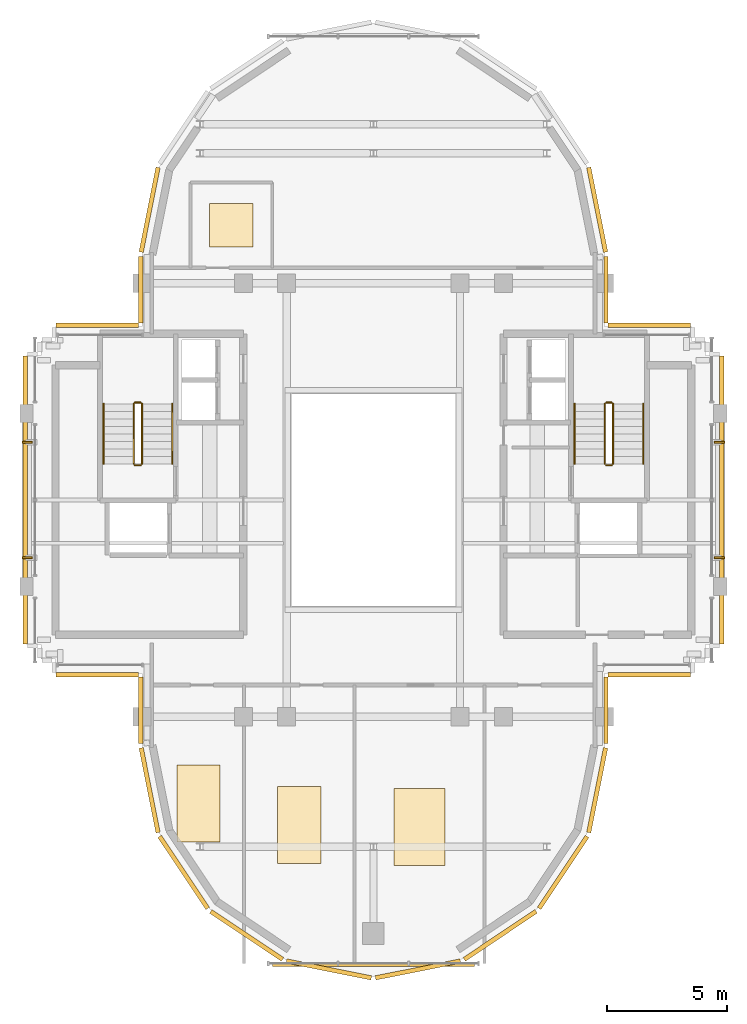
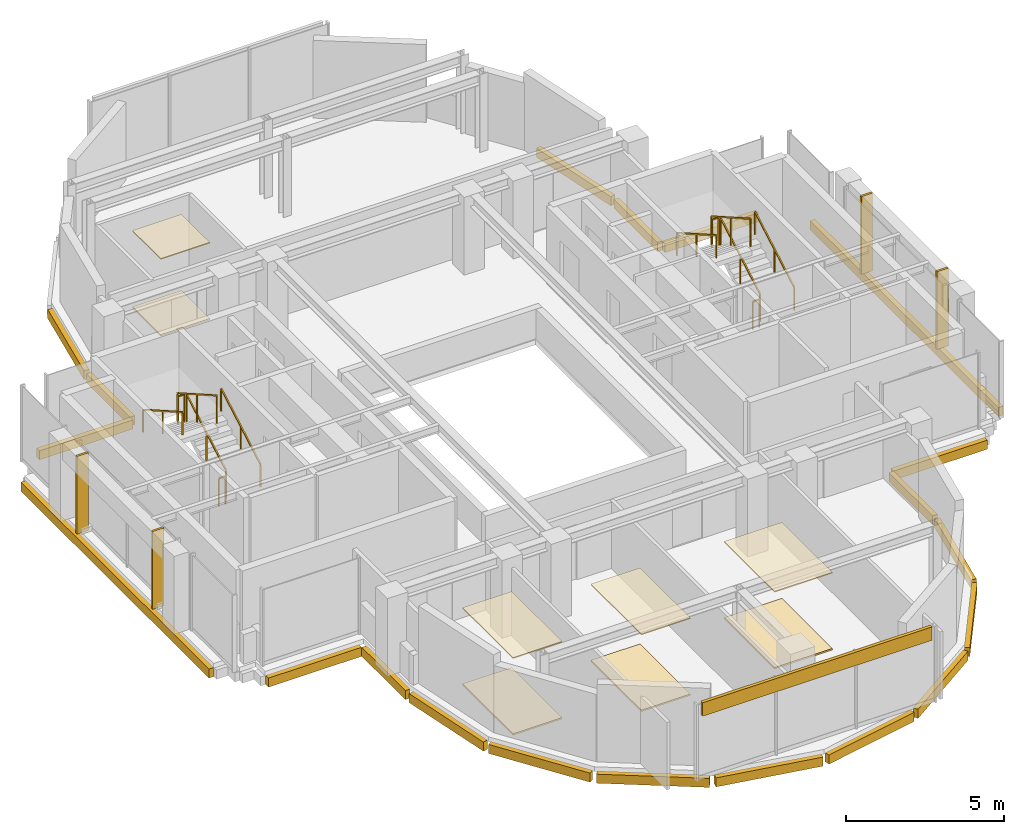
# One storey, part 10 of 11: 29 coverings, 12 railings, 4 shading devices.
"""IFC4 building model written with IfcOpenShell, lengths in metres."""

from ifc_helpers import new_model, si_unit, direction, frame, origin, origin_2d, place, context, subcontext, project, spatial, rectangle, extrude, source, transform, mapped, material, layer, layer_set, type_object, element, save


model = new_model("IFC4")

# Units and contexts
model_context = context("Model", 3, precision=1e-05, world=origin(), true_north=direction((0.0, 1.0)))
body_context = subcontext(model_context, "Body", "Model", "MODEL_VIEW")
ifc_project = project(units=[si_unit("LENGTHUNIT", "METRE"), si_unit("AREAUNIT", "SQUARE_METRE"), si_unit("VOLUMEUNIT", "CUBIC_METRE"), si_unit("PLANEANGLEUNIT", "RADIAN"), si_unit("MASSUNIT", "GRAM", prefix="KILO")], contexts=[model_context])

# Site, building, storey
site_placement = place(None, origin())
site = spatial("IfcSite", under=ifc_project, at=site_placement, CompositionType="ELEMENT")
building_placement = place(site_placement, origin())
building = spatial("IfcBuilding", under=site, at=building_placement, Name="Keilestroom Media Tower", CompositionType="ELEMENT")
storey_placement = place(building_placement, frame((0.0, 0.0, 265.199951171875)))
storey = spatial("IfcBuildingStorey", under=building, at=storey_placement, Name="L74", CompositionType="ELEMENT", Elevation=265.199951171875)

# Railings
ifc_material_1 = material(Name="Brushed Stainless Steel 1.4301", Category="steel")
railing_type_1 = type_object("IfcRailingType", Name="Stair-Pitch-Handrail-920", PredefinedType="HANDRAIL", material=ifc_material_1)
railing_1_placement = place(storey_placement, frame((-8.35009765625, 1.5, 0.177734375)))
element("IfcRailing", 1, at=railing_1_placement, inside=storey, type_object=railing_type_1, Name="L74 ST-1 stair handrail 1", PredefinedType="HANDRAIL", context=body_context, shape_type="SweptSolid", body=[
    extrude(rectangle(XDim=0.048095703125, YDim=0.048095703125, at=origin_2d()), frame((0.0, 0.0, 0.8759765625), z_axis=(0.0, 0.868838684858, 0.495095283449), x_axis=(-1.0, 0.0, 0.0)), (0.0, 0.0, 1.0), 2.872802734375),
    extrude(rectangle(XDim=0.0419921875, YDim=0.0419921875, at=origin_2d()), origin(), (0.0, 0.0, 1.0), 0.84375),
    extrude(rectangle(XDim=0.0419921875, YDim=0.0419921875, at=origin_2d()), frame((0.0, 1.248046875, 0.711181640625)), (0.0, 0.0, 1.0), 0.84375),
    extrude(rectangle(XDim=0.0419921875, YDim=0.0419921875, at=origin_2d()), frame((0.0, 2.49609375, 1.42236328125)), (0.0, 0.0, 1.0), 0.84375),
])
railing_2_placement = place(storey_placement, frame((-11.2099609375, 3.99609375, 1.77783203125)))
element("IfcRailing", 2, at=railing_2_placement, inside=storey, type_object=railing_type_1, Name="L74 ST-1 stair handrail 2", PredefinedType="HANDRAIL", context=body_context, shape_type="SweptSolid", body=[
    extrude(rectangle(XDim=0.048095703125, YDim=0.048095703125, at=origin_2d()), frame((0.0, 0.0, 0.8759765625), z_axis=(0.0, -0.868875238982, 0.495031129408), x_axis=(1.0, 0.0, 0.0)), (0.0, 0.0, 1.0), 2.872802734375),
    extrude(rectangle(XDim=0.0419921875, YDim=0.0419921875, at=origin_2d()), origin(), (0.0, 0.0, 1.0), 0.84375),
    extrude(rectangle(XDim=0.0419921875, YDim=0.0419921875, at=origin_2d()), frame((0.0, -1.248046875, 0.7109375)), (0.0, 0.0, 1.0), 0.84375),
    extrude(rectangle(XDim=0.0419921875, YDim=0.0419921875, at=origin_2d()), frame((0.0, -2.49609375, 1.422119140625)), (0.0, 0.0, 1.0), 0.84375),
])
railing_3_placement = place(storey_placement, frame((11.2099609375, 1.5, 0.177734375)))
element("IfcRailing", 3, at=railing_3_placement, inside=storey, type_object=railing_type_1, Name="L74 ST-2 stair handrail 1", PredefinedType="HANDRAIL", context=body_context, shape_type="SweptSolid", body=[
    extrude(rectangle(XDim=0.048095703125, YDim=0.048095703125, at=origin_2d()), frame((0.0, 0.0, 0.8759765625), z_axis=(0.0, 0.868838684858, 0.495095283449), x_axis=(-1.0, 0.0, 0.0)), (0.0, 0.0, 1.0), 2.872802734375),
    extrude(rectangle(XDim=0.0419921875, YDim=0.0419921875, at=origin_2d()), origin(), (0.0, 0.0, 1.0), 0.84375),
    extrude(rectangle(XDim=0.0419921875, YDim=0.0419921875, at=origin_2d()), frame((0.0, 1.248046875, 0.711181640625)), (0.0, 0.0, 1.0), 0.84375),
    extrude(rectangle(XDim=0.0419921875, YDim=0.0419921875, at=origin_2d()), frame((0.0, 2.49609375, 1.42236328125)), (0.0, 0.0, 1.0), 0.84375),
])
railing_4_placement = place(storey_placement, frame((8.35009765625, 3.99609375, 1.77783203125)))
element("IfcRailing", 4, at=railing_4_placement, inside=storey, type_object=railing_type_1, Name="L74 ST-2 stair handrail 2", PredefinedType="HANDRAIL", context=body_context, shape_type="SweptSolid", body=[
    extrude(rectangle(XDim=0.048095703125, YDim=0.048095703125, at=origin_2d()), frame((0.0, 0.0, 0.8759765625), z_axis=(0.0, -0.868875238982, 0.495031129408), x_axis=(1.0, 0.0, 0.0)), (0.0, 0.0, 1.0), 2.872802734375),
    extrude(rectangle(XDim=0.0419921875, YDim=0.0419921875, at=origin_2d()), origin(), (0.0, 0.0, 1.0), 0.84375),
    extrude(rectangle(XDim=0.0419921875, YDim=0.0419921875, at=origin_2d()), frame((0.0, -1.248046875, 0.7109375)), (0.0, 0.0, 1.0), 0.84375),
    extrude(rectangle(XDim=0.0419921875, YDim=0.0419921875, at=origin_2d()), frame((0.0, -2.49609375, 1.422119140625)), (0.0, 0.0, 1.0), 0.84375),
])
ifc_material_2 = material(Name="Painted Steel Balustrade", Category="steel")
railing_type_2 = type_object("IfcRailingType", Name="Stair-Well-And-Landing-Guard-1100", PredefinedType="GUARDRAIL", material=ifc_material_2)
railing_5_placement = place(storey_placement, frame((-9.610107421875, 1.5, 0.177734375)))
element("IfcRailing", 5, at=railing_5_placement, inside=storey, type_object=railing_type_2, Name="L74 ST-1 stair guard 1", PredefinedType="GUARDRAIL", context=body_context, shape_type="SweptSolid", body=[
    extrude(rectangle(XDim=0.048095703125, YDim=0.048095703125, at=origin_2d()), frame((0.0, 0.0, 1.076171875), z_axis=(0.0, 0.868838684858, 0.495095283449), x_axis=(-1.0, 0.0, 0.0)), (0.0, 0.0, 1.0), 2.872802734375),
    extrude(rectangle(XDim=0.0419921875, YDim=0.0419921875, at=origin_2d()), origin(), (0.0, 0.0, 1.0), 1.0439453125),
    extrude(rectangle(XDim=0.0419921875, YDim=0.0419921875, at=origin_2d()), frame((0.0, 1.248046875, 0.711181640625)), (0.0, 0.0, 1.0), 1.0439453125),
    extrude(rectangle(XDim=0.0419921875, YDim=0.0419921875, at=origin_2d()), frame((0.0, 2.49609375, 1.42236328125)), (0.0, 0.0, 1.0), 1.0439453125),
])
railing_6_placement = place(storey_placement, frame((-9.659912109375, 4.0458984375, 1.60009765625)))
element("IfcRailing", 6, at=railing_6_placement, inside=storey, type_object=railing_type_2, Name="L74 ST-1 stair guard 2", PredefinedType="GUARDRAIL", context=body_context, shape_type="SweptSolid", body=[
    extrude(rectangle(XDim=0.048095703125, YDim=0.048095703125, at=origin_2d()), frame((0.0, 0.0, 1.076171875), z_axis=(-1.0, 0.0, 0.0), x_axis=(0.0, -1.0, 0.0)), (0.0, 0.0, 1.0), 0.239990234375),
    extrude(rectangle(XDim=0.0419921875, YDim=0.0419921875, at=origin_2d()), origin(), (0.0, 0.0, 1.0), 1.0439453125),
    extrude(rectangle(XDim=0.0419921875, YDim=0.0419921875, at=origin_2d()), frame((-0.239990234375, 0.0, 0.0)), (0.0, 0.0, 1.0), 1.0439453125),
])
railing_7_placement = place(storey_placement, frame((-9.949951171875, 3.99609375, 1.77783203125)))
element("IfcRailing", 7, at=railing_7_placement, inside=storey, type_object=railing_type_2, Name="L74 ST-1 stair guard 3", PredefinedType="GUARDRAIL", context=body_context, shape_type="SweptSolid", body=[
    extrude(rectangle(XDim=0.048095703125, YDim=0.048095703125, at=origin_2d()), frame((0.0, 0.0, 1.076171875), z_axis=(0.0, -0.868875238982, 0.495031129408), x_axis=(1.0, 0.0, 0.0)), (0.0, 0.0, 1.0), 2.872802734375),
    extrude(rectangle(XDim=0.0419921875, YDim=0.0419921875, at=origin_2d()), origin(), (0.0, 0.0, 1.0), 1.0439453125),
    extrude(rectangle(XDim=0.0419921875, YDim=0.0419921875, at=origin_2d()), frame((0.0, -1.248046875, 0.7109375)), (0.0, 0.0, 1.0), 1.0439453125),
    extrude(rectangle(XDim=0.0419921875, YDim=0.0419921875, at=origin_2d()), frame((0.0, -2.49609375, 1.422119140625)), (0.0, 0.0, 1.0), 1.0439453125),
])
railing_8_placement = place(storey_placement, frame((-9.659912109375, 1.449951171875, 0.0)))
element("IfcRailing", 8, at=railing_8_placement, inside=storey, type_object=railing_type_2, Name="L74 ST-1 stair guard 4", PredefinedType="GUARDRAIL", context=body_context, shape_type="SweptSolid", body=[
    extrude(rectangle(XDim=0.048095703125, YDim=0.048095703125, at=origin_2d()), frame((0.0, 0.0, 1.076171875), z_axis=(-1.0, 0.0, 0.0), x_axis=(0.0, -1.0, 0.0)), (0.0, 0.0, 1.0), 0.239990234375),
    extrude(rectangle(XDim=0.0419921875, YDim=0.0419921875, at=origin_2d()), origin(), (0.0, 0.0, 1.0), 1.0439453125),
    extrude(rectangle(XDim=0.0419921875, YDim=0.0419921875, at=origin_2d()), frame((-0.239990234375, 0.0, 0.0)), (0.0, 0.0, 1.0), 1.0439453125),
])
railing_9_placement = place(storey_placement, frame((9.949951171875, 1.5, 0.177734375)))
element("IfcRailing", 9, at=railing_9_placement, inside=storey, type_object=railing_type_2, Name="L74 ST-2 stair guard 1", PredefinedType="GUARDRAIL", context=body_context, shape_type="SweptSolid", body=[
    extrude(rectangle(XDim=0.048095703125, YDim=0.048095703125, at=origin_2d()), frame((0.0, 0.0, 1.076171875), z_axis=(0.0, 0.868838684858, 0.495095283449), x_axis=(-1.0, 0.0, 0.0)), (0.0, 0.0, 1.0), 2.872802734375),
    extrude(rectangle(XDim=0.0419921875, YDim=0.0419921875, at=origin_2d()), origin(), (0.0, 0.0, 1.0), 1.0439453125),
    extrude(rectangle(XDim=0.0419921875, YDim=0.0419921875, at=origin_2d()), frame((0.0, 1.248046875, 0.711181640625)), (0.0, 0.0, 1.0), 1.0439453125),
    extrude(rectangle(XDim=0.0419921875, YDim=0.0419921875, at=origin_2d()), frame((0.0, 2.49609375, 1.42236328125)), (0.0, 0.0, 1.0), 1.0439453125),
])
railing_10_placement = place(storey_placement, frame((9.89990234375, 4.0458984375, 1.60009765625)))
element("IfcRailing", 10, at=railing_10_placement, inside=storey, type_object=railing_type_2, Name="L74 ST-2 stair guard 2", PredefinedType="GUARDRAIL", context=body_context, shape_type="SweptSolid", body=[
    extrude(rectangle(XDim=0.048095703125, YDim=0.048095703125, at=origin_2d()), frame((0.0, 0.0, 1.076171875), z_axis=(-1.0, 0.0, 0.0), x_axis=(0.0, -1.0, 0.0)), (0.0, 0.0, 1.0), 0.239990234375),
    extrude(rectangle(XDim=0.0419921875, YDim=0.0419921875, at=origin_2d()), origin(), (0.0, 0.0, 1.0), 1.0439453125),
    extrude(rectangle(XDim=0.0419921875, YDim=0.0419921875, at=origin_2d()), frame((-0.239990234375, 0.0, 0.0)), (0.0, 0.0, 1.0), 1.0439453125),
])
railing_11_placement = place(storey_placement, frame((9.610107421875, 3.99609375, 1.77783203125)))
element("IfcRailing", 11, at=railing_11_placement, inside=storey, type_object=railing_type_2, Name="L74 ST-2 stair guard 3", PredefinedType="GUARDRAIL", context=body_context, shape_type="SweptSolid", body=[
    extrude(rectangle(XDim=0.048095703125, YDim=0.048095703125, at=origin_2d()), frame((0.0, 0.0, 1.076171875), z_axis=(0.0, -0.868875238982, 0.495031129408), x_axis=(1.0, 0.0, 0.0)), (0.0, 0.0, 1.0), 2.872802734375),
    extrude(rectangle(XDim=0.0419921875, YDim=0.0419921875, at=origin_2d()), origin(), (0.0, 0.0, 1.0), 1.0439453125),
    extrude(rectangle(XDim=0.0419921875, YDim=0.0419921875, at=origin_2d()), frame((0.0, -1.248046875, 0.7109375)), (0.0, 0.0, 1.0), 1.0439453125),
    extrude(rectangle(XDim=0.0419921875, YDim=0.0419921875, at=origin_2d()), frame((0.0, -2.49609375, 1.422119140625)), (0.0, 0.0, 1.0), 1.0439453125),
])
railing_12_placement = place(storey_placement, frame((9.89990234375, 1.449951171875, 0.0)))
element("IfcRailing", 12, at=railing_12_placement, inside=storey, type_object=railing_type_2, Name="L74 ST-2 stair guard 4", PredefinedType="GUARDRAIL", context=body_context, shape_type="SweptSolid", body=[
    extrude(rectangle(XDim=0.048095703125, YDim=0.048095703125, at=origin_2d()), frame((0.0, 0.0, 1.076171875), z_axis=(-1.0, 0.0, 0.0), x_axis=(0.0, -1.0, 0.0)), (0.0, 0.0, 1.0), 0.239990234375),
    extrude(rectangle(XDim=0.0419921875, YDim=0.0419921875, at=origin_2d()), origin(), (0.0, 0.0, 1.0), 1.0439453125),
    extrude(rectangle(XDim=0.0419921875, YDim=0.0419921875, at=origin_2d()), frame((-0.239990234375, 0.0, 0.0)), (0.0, 0.0, 1.0), 1.0439453125),
])

# Covering
ifc_material_3 = material(Name="Precast concrete C40/50", Category="concrete")
ifc_layer_1 = layer(ifc_material_3, 0.1201171875)
ifc_layer_set_1 = layer_set([ifc_layer_1], Name="Precast concrete C40/50")
covering_type_1 = type_object("IfcCoveringType", Name="Exterior-Precast-Spandrel-Cladding-Panel-120", PredefinedType="CLADDING", material=ifc_layer_set_1)
shared_shape_1 = source(origin(), body_context, "Body", "SweptSolid", [
    extrude(rectangle(XDim=8.39990234375, YDim=0.1201171875, at=origin_2d()), origin(), (0.0, 0.0, 1.0), 0.52001953125),
])
covering_1_placement = place(storey_placement, frame((0.0, -19.320068359375, 2.5), z_axis=(0.0, 0.0, 1.0), x_axis=(1.0, 0.0, 0.0)))
element("IfcCovering", 13, at=covering_1_placement, inside=storey, type_object=covering_type_1, Name="L74 Precast Spandrel Cladding S", PredefinedType="CLADDING", context=body_context, shape_type="MappedRepresentation", body=[
    mapped(shared_shape_1, transform((0.0, 0.0, 0.0), x_axis=(1.0, 0.0, 0.0), y_axis=(0.0, 1.0, 0.0), z_axis=(0.0, 0.0, 1.0), scale=1.0)),
])

# Shading devices
ifc_material_4 = material(Name="Bronze Anodised Aluminium", Category="aluminium")
shading_device_type = type_object("IfcShadingDeviceType", Name="Facade-Vertical-Sunshade-Fin-SHD-1", PredefinedType="USERDEFINED", material=ifc_material_4)
shared_shape_2 = source(origin(), body_context, "Body", "SweptSolid", [
    extrude(rectangle(XDim=0.419921875, YDim=0.080078125, at=origin_2d()), origin(), (0.0, 0.0, 1.0), 3.010009765625),
])
for number, where, z_axis, x_axis, name in (
    (14, (-14.3701171875, -2.39990234375, 0.0), (0.0, 0.0, 1.0), (0.999966355195, 0.008202955488, 0.0), "L74 Twisting Sunshade Fin SHD-1 109"),
    (15, (-14.3701171875, 2.39990234375, 0.0), (0.0, 0.0, 1.0), (0.999966355195, 0.008202955488, 0.0), "L74 Twisting Sunshade Fin SHD-1 110"),
    (16, (14.3701171875, -2.39990234375, 0.0), (0.0, 0.0, 1.0), (0.999966355195, 0.008202955488, 0.0), "L74 Twisting Sunshade Fin SHD-1 111"),
    (17, (14.3701171875, 2.39990234375, 0.0), (0.0, 0.0, 1.0), (0.999966355195, 0.008202955488, 0.0), "L74 Twisting Sunshade Fin SHD-1 112"),
):
    element("IfcShadingDevice", number, at=place(storey_placement, frame(where, z_axis=z_axis, x_axis=x_axis)), inside=storey, type_object=shading_device_type, Name=name, ObjectType="SUNSHADE", PredefinedType="USERDEFINED", context=body_context, shape_type="MappedRepresentation", body=[
        mapped(shared_shape_2, transform((0.0, 0.0, 0.0), x_axis=(1.0, 0.0, 0.0), y_axis=(0.0, 1.0, 0.0), z_axis=(0.0, 0.0, 1.0), scale=1.0)),
    ])

# Coverings
shared_shape_3 = source(origin(), body_context, "Body", "SweptSolid", [
    extrude(rectangle(XDim=2.765869140625, YDim=0.179931640625, at=origin_2d()), origin(), (0.0, 0.0, 1.0), 0.35009765625),
])
for number, where, z_axis, x_axis, name in (
    (18, (9.659912109375, -8.73291015625, -0.530029296875), (0.0, 0.0, 1.0), (0.0, -1.0, 0.0), "L74 Precast Slab-Edge Fascia Cornice 06"),
    (19, (-9.659912109375, -8.73291015625, -0.530029296875), (0.0, 0.0, 1.0), (0.0, 1.0, 0.0), "L74 Precast Slab-Edge Fascia Cornice 15"),
    (20, (-9.659912109375, 8.73291015625, -0.530029296875), (0.0, 0.0, 1.0), (0.0, 1.0, 0.0), "L74 Precast Slab-Edge Fascia Cornice 27"),
    (21, (9.659912109375, 8.73291015625, -0.530029296875), (0.0, 0.0, 1.0), (0.0, -1.0, 0.0), "L74 Precast Slab-Edge Fascia Cornice 36"),
):
    element("IfcCovering", number, at=place(storey_placement, frame(where, z_axis=z_axis, x_axis=x_axis)), inside=storey, type_object=covering_type_1, Name=name, PredefinedType="CLADDING", context=body_context, shape_type="MappedRepresentation", body=[
        mapped(shared_shape_3, transform((0.0, 0.0, 0.0), x_axis=(1.0, 0.0, 0.0), y_axis=(0.0, 1.0, 0.0), z_axis=(0.0, 0.0, 1.0), scale=1.0)),
    ])
shared_shape_4 = source(origin(), body_context, "Body", "SweptSolid", [
    extrude(rectangle(XDim=3.58349609375, YDim=0.179931640625, at=origin_2d()), origin(), (0.0, 0.0, 1.0), 0.35009765625),
])
for number, where, z_axis, x_axis, name in (
    (22, (9.29296875, -12.051513671875, -0.530029296875), (0.0, 0.0, 1.0), (-0.195098880975, -0.980783577882, 0.0), "L74 Precast Slab-Edge Fascia Cornice 07"),
    (23, (-9.29296875, -12.051513671875, -0.530029296875), (0.0, 0.0, 1.0), (-0.195098880975, 0.980783577882, 0.0), "L74 Precast Slab-Edge Fascia Cornice 14"),
    (24, (-9.29296875, 12.051513671875, -0.530029296875), (0.0, 0.0, 1.0), (0.195098880975, 0.980783577882, 0.0), "L74 Precast Slab-Edge Fascia Cornice 28"),
    (25, (9.29296875, 12.051513671875, -0.530029296875), (0.0, 0.0, 1.0), (0.195098880975, -0.980783577882, 0.0), "L74 Precast Slab-Edge Fascia Cornice 35"),
):
    element("IfcCovering", number, at=place(storey_placement, frame(where, z_axis=z_axis, x_axis=x_axis)), inside=storey, type_object=covering_type_1, Name=name, PredefinedType="CLADDING", context=body_context, shape_type="MappedRepresentation", body=[
        mapped(shared_shape_4, transform((0.0, 0.0, 0.0), x_axis=(1.0, 0.0, 0.0), y_axis=(0.0, 1.0, 0.0), z_axis=(0.0, 0.0, 1.0), scale=1.0)),
    ])
shared_shape_5 = source(origin(), body_context, "Body", "SweptSolid", [
    extrude(rectangle(XDim=3.589599609375, YDim=0.179931640625, at=origin_2d()), origin(), (0.0, 0.0, 1.0), 0.35009765625),
])
for number, where, z_axis, x_axis, name in (
    (26, (7.878662109375, -15.46435546875, -0.530029296875), (0.0, 0.0, 1.0), (-0.555574586577, -0.831466703332, 0.0), "L74 Precast Slab-Edge Fascia Cornice 08"),
    (27, (5.264404296875, -18.07861328125, -0.530029296875), (0.0, 0.0, 1.0), (-0.831466703332, -0.555574586577, 0.0), "L74 Precast Slab-Edge Fascia Cornice 09"),
    (28, (1.8486328125, -19.493408203125, -0.530029296875), (0.0, 0.0, 1.0), (-0.980783577882, -0.195098880975, 0.0), "L74 Precast Slab-Edge Fascia Cornice 10"),
    (29, (-1.8486328125, -19.493408203125, -0.530029296875), (0.0, 0.0, 1.0), (-0.980783577882, 0.195098880975, 0.0), "L74 Precast Slab-Edge Fascia Cornice 11"),
    (30, (-5.264404296875, -18.07861328125, -0.530029296875), (0.0, 0.0, 1.0), (-0.831466703332, 0.555574586577, 0.0), "L74 Precast Slab-Edge Fascia Cornice 12"),
    (31, (-7.878662109375, -15.46435546875, -0.530029296875), (0.0, 0.0, 1.0), (-0.555574586577, 0.831466703332, 0.0), "L74 Precast Slab-Edge Fascia Cornice 13"),
):
    element("IfcCovering", number, at=place(storey_placement, frame(where, z_axis=z_axis, x_axis=x_axis)), inside=storey, type_object=covering_type_1, Name=name, PredefinedType="CLADDING", context=body_context, shape_type="MappedRepresentation", body=[
        mapped(shared_shape_5, transform((0.0, 0.0, 0.0), x_axis=(1.0, 0.0, 0.0), y_axis=(0.0, 1.0, 0.0), z_axis=(0.0, 0.0, 1.0), scale=1.0)),
    ])
shared_shape_6 = source(origin(), body_context, "Body", "SweptSolid", [
    extrude(rectangle(XDim=3.419921875, YDim=0.179931640625, at=origin_2d()), origin(), (0.0, 0.0, 1.0), 0.35009765625),
])
for number, where, z_axis, x_axis, name in (
    (32, (11.4599609375, -7.260009765625, -0.530029296875), (0.0, 0.0, 1.0), (-1.0, 0.0, 0.0), "L74 Precast Slab-Edge Fascia Cornice 05"),
    (33, (-11.4599609375, -7.260009765625, -0.530029296875), (0.0, 0.0, 1.0), (-1.0, 0.0, 0.0), "L74 Precast Slab-Edge Fascia Cornice 16"),
    (34, (-11.4599609375, 7.260009765625, -0.530029296875), (0.0, 0.0, 1.0), (1.0, 0.0, 0.0), "L74 Precast Slab-Edge Fascia Cornice 26"),
    (35, (11.4599609375, 7.260009765625, -0.530029296875), (0.0, 0.0, 1.0), (1.0, 0.0, 0.0), "L74 Precast Slab-Edge Fascia Cornice 37"),
):
    element("IfcCovering", number, at=place(storey_placement, frame(where, z_axis=z_axis, x_axis=x_axis)), inside=storey, type_object=covering_type_1, Name=name, PredefinedType="CLADDING", context=body_context, shape_type="MappedRepresentation", body=[
        mapped(shared_shape_6, transform((0.0, 0.0, 0.0), x_axis=(1.0, 0.0, 0.0), y_axis=(0.0, 1.0, 0.0), z_axis=(0.0, 0.0, 1.0), scale=1.0)),
    ])
shared_shape_7 = source(origin(), body_context, "Body", "SweptSolid", [
    extrude(rectangle(XDim=11.93994140625, YDim=0.179931640625, at=origin_2d()), origin(), (0.0, 0.0, 1.0), 0.35009765625),
])
for number, where, z_axis, x_axis, name in (
    (36, (-14.4599609375, 0.0, -0.530029296875), (0.0, 0.0, 1.0), (0.0, 1.0, 0.0), "L74 Precast Slab-Edge Fascia Cornice 21"),
    (37, (14.4599609375, 0.0, -0.530029296875), (0.0, 0.0, 1.0), (0.0, -1.0, 0.0), "L74 Precast Slab-Edge Fascia Cornice 42"),
):
    element("IfcCovering", number, at=place(storey_placement, frame(where, z_axis=z_axis, x_axis=x_axis)), inside=storey, type_object=covering_type_1, Name=name, PredefinedType="CLADDING", context=body_context, shape_type="MappedRepresentation", body=[
        mapped(shared_shape_7, transform((0.0, 0.0, 0.0), x_axis=(1.0, 0.0, 0.0), y_axis=(0.0, 1.0, 0.0), z_axis=(0.0, 0.0, 1.0), scale=1.0)),
    ])
ifc_material_5 = material(Name="Mineral-Fibre Acoustic Ceiling Tile", Category="gypsum")
ifc_layer_2 = layer(ifc_material_5, 0.0400390625)
ifc_layer_set_2 = layer_set([ifc_layer_2], Name="Mineral-Fibre Acoustic Ceiling Tile")
covering_type_2 = type_object("IfcCoveringType", Name="Suspended-Acoustic-Ceiling-40", PredefinedType="CEILING", material=ifc_layer_set_2)
shared_shape_8 = source(origin(), body_context, "Body", "SweptSolid", [
    extrude(rectangle(XDim=1.800048828125, YDim=1.800048828125, at=origin_2d()), origin(), (0.0, 0.0, 1.0), 0.0400390625),
])
covering_2_placement = place(storey_placement, frame((-5.89990234375, 11.4150390625, 2.969970703125), z_axis=(0.0, 0.0, 1.0), x_axis=(1.0, 0.0, 0.0)))
element("IfcCovering", 38, at=covering_2_placement, inside=storey, type_object=covering_type_2, Name="L74 Suspended Acoustic Ceiling 1", PredefinedType="CEILING", context=body_context, shape_type="MappedRepresentation", body=[
    mapped(shared_shape_8, transform((0.0, 0.0, 0.0), x_axis=(1.0, 0.0, 0.0), y_axis=(0.0, 1.0, 0.0), z_axis=(0.0, 0.0, 1.0), scale=1.0)),
])
ifc_material_6 = material(Name="Calcium-Sulphate Raised Access Floor", Category="concrete")
ifc_layer_3 = layer(ifc_material_6, 0.06005859375)
ifc_layer_set_3 = layer_set([ifc_layer_3], Name="Calcium-Sulphate Raised Access Floor")
covering_type_3 = type_object("IfcCoveringType", Name="Raised-Access-And-Acoustic-Flooring-60", PredefinedType="FLOORING", material=ifc_layer_set_3)
shared_shape_9 = source(origin(), body_context, "Body", "SweptSolid", [
    extrude(rectangle(XDim=1.800048828125, YDim=1.800048828125, at=origin_2d()), origin(), (0.0, 0.0, 1.0), 0.06005859375),
])
covering_3_placement = place(storey_placement, frame((-5.89990234375, 11.4150390625, 0.0), z_axis=(0.0, 0.0, 1.0), x_axis=(1.0, 0.0, 0.0)))
element("IfcCovering", 39, at=covering_3_placement, inside=storey, type_object=covering_type_3, Name="L74 Raised Access Flooring 1", PredefinedType="FLOORING", context=body_context, shape_type="MappedRepresentation", body=[
    mapped(shared_shape_9, transform((0.0, 0.0, 0.0), x_axis=(1.0, 0.0, 0.0), y_axis=(0.0, 1.0, 0.0), z_axis=(0.0, 0.0, 1.0), scale=1.0)),
])
shared_shape_10 = source(origin(), body_context, "Body", "SweptSolid", [
    extrude(rectangle(XDim=1.800048828125, YDim=3.199951171875, at=origin_2d()), origin(), (0.0, 0.0, 1.0), 0.0400390625),
])
for number, where, z_axis, x_axis, name in (
    (40, (-7.260009765625, -12.593994140625, 2.969970703125), (0.0, 0.0, 1.0), (1.0, 0.0, 0.0), "L74 Suspended Acoustic Ceiling 3"),
    (41, (-3.080078125, -13.4990234375, 2.969970703125), (0.0, 0.0, 1.0), (1.0, 0.0, 0.0), "L74 Suspended Acoustic Ceiling 4"),
):
    element("IfcCovering", number, at=place(storey_placement, frame(where, z_axis=z_axis, x_axis=x_axis)), inside=storey, type_object=covering_type_2, Name=name, PredefinedType="CEILING", context=body_context, shape_type="MappedRepresentation", body=[
        mapped(shared_shape_10, transform((0.0, 0.0, 0.0), x_axis=(1.0, 0.0, 0.0), y_axis=(0.0, 1.0, 0.0), z_axis=(0.0, 0.0, 1.0), scale=1.0)),
    ])
shared_shape_11 = source(origin(), body_context, "Body", "SweptSolid", [
    extrude(rectangle(XDim=1.800048828125, YDim=3.199951171875, at=origin_2d()), origin(), (0.0, 0.0, 1.0), 0.06005859375),
])
for number, where, z_axis, x_axis, name in (
    (42, (-7.260009765625, -12.593994140625, 0.0), (0.0, 0.0, 1.0), (1.0, 0.0, 0.0), "L74 Raised Access Flooring 3"),
    (43, (-3.080078125, -13.4990234375, 0.0), (0.0, 0.0, 1.0), (1.0, 0.0, 0.0), "L74 Raised Access Flooring 4"),
):
    element("IfcCovering", number, at=place(storey_placement, frame(where, z_axis=z_axis, x_axis=x_axis)), inside=storey, type_object=covering_type_3, Name=name, PredefinedType="FLOORING", context=body_context, shape_type="MappedRepresentation", body=[
        mapped(shared_shape_11, transform((0.0, 0.0, 0.0), x_axis=(1.0, 0.0, 0.0), y_axis=(0.0, 1.0, 0.0), z_axis=(0.0, 0.0, 1.0), scale=1.0)),
    ])
shared_shape_12 = source(origin(), body_context, "Body", "SweptSolid", [
    extrude(rectangle(XDim=2.1201171875, YDim=3.199951171875, at=origin_2d()), origin(), (0.0, 0.0, 1.0), 0.0400390625),
])
covering_4_placement = place(storey_placement, frame((1.919921875, -13.570068359375, 2.969970703125), z_axis=(0.0, 0.0, 1.0), x_axis=(1.0, 0.0, 0.0)))
element("IfcCovering", 44, at=covering_4_placement, inside=storey, type_object=covering_type_2, Name="L74 Suspended Acoustic Ceiling 5", PredefinedType="CEILING", context=body_context, shape_type="MappedRepresentation", body=[
    mapped(shared_shape_12, transform((0.0, 0.0, 0.0), x_axis=(1.0, 0.0, 0.0), y_axis=(0.0, 1.0, 0.0), z_axis=(0.0, 0.0, 1.0), scale=1.0)),
])
shared_shape_13 = source(origin(), body_context, "Body", "SweptSolid", [
    extrude(rectangle(XDim=2.1201171875, YDim=3.199951171875, at=origin_2d()), origin(), (0.0, 0.0, 1.0), 0.06005859375),
])
covering_5_placement = place(storey_placement, frame((1.919921875, -13.570068359375, 0.0), z_axis=(0.0, 0.0, 1.0), x_axis=(1.0, 0.0, 0.0)))
element("IfcCovering", 45, at=covering_5_placement, inside=storey, type_object=covering_type_3, Name="L74 Raised Access Flooring 5", PredefinedType="FLOORING", context=body_context, shape_type="MappedRepresentation", body=[
    mapped(shared_shape_13, transform((0.0, 0.0, 0.0), x_axis=(1.0, 0.0, 0.0), y_axis=(0.0, 1.0, 0.0), z_axis=(0.0, 0.0, 1.0), scale=1.0)),
])

save(model, "model.ifc")
